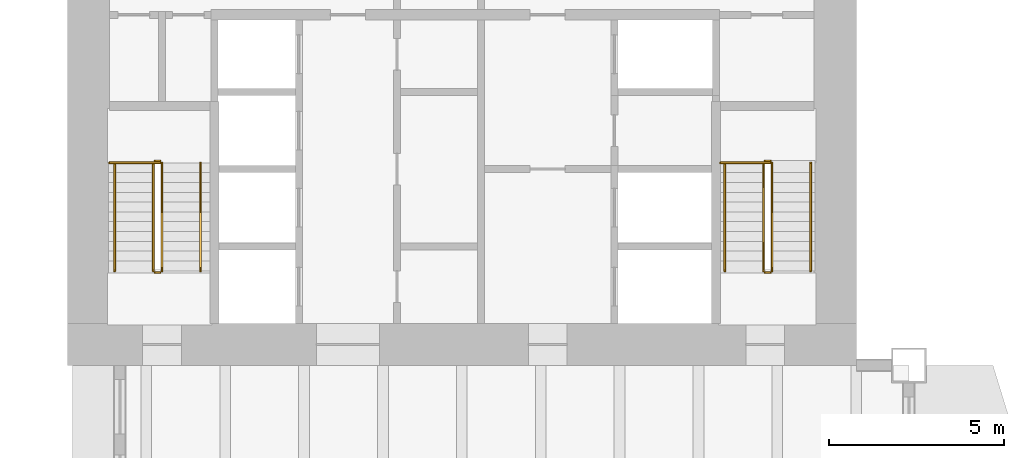
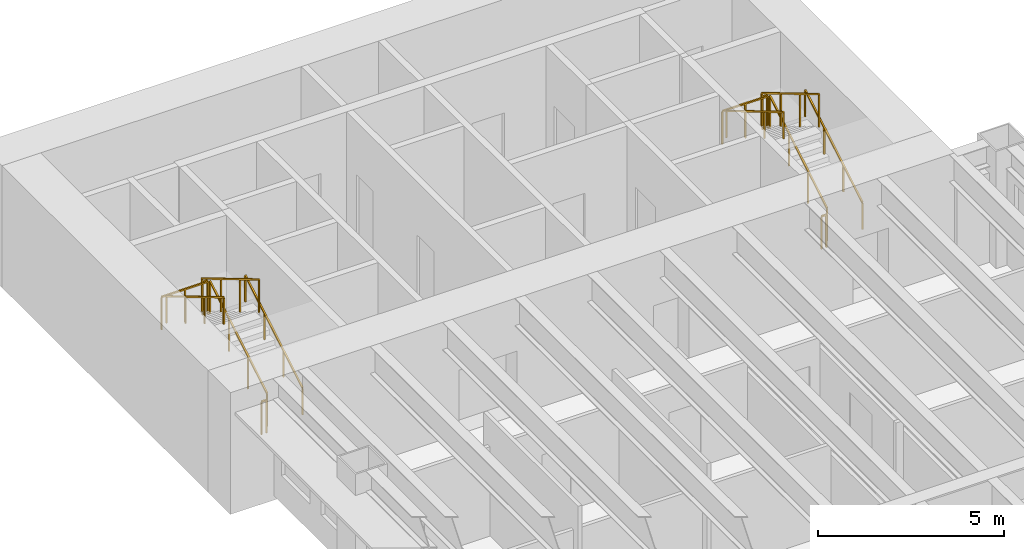
# One storey, part 16 of 16: 14 railings.
"""IFC4 building model written with IfcOpenShell, lengths in metres."""

from ifc_helpers import new_model, si_unit, direction, frame, origin, origin_2d, place, context, subcontext, project, spatial, rectangle, extrude, material, type_object, element, save


model = new_model("IFC4")

# Units and contexts
model_context = context("Model", 3, precision=1e-05, world=origin(), true_north=direction((0.0, 1.0)))
body_context = subcontext(model_context, "Body", "Model", "MODEL_VIEW")
ifc_project = project(units=[si_unit("LENGTHUNIT", "METRE"), si_unit("AREAUNIT", "SQUARE_METRE"), si_unit("VOLUMEUNIT", "CUBIC_METRE"), si_unit("PLANEANGLEUNIT", "RADIAN"), si_unit("MASSUNIT", "GRAM", prefix="KILO")], contexts=[model_context])

# Site, building, storey
site_placement = place(None, origin())
site = spatial("IfcSite", under=ifc_project, at=site_placement, CompositionType="ELEMENT")
building_placement = place(site_placement, origin())
building = spatial("IfcBuilding", under=site, at=building_placement, Name="Sennacour Bend Tower", CompositionType="ELEMENT")
storey_placement = place(building_placement, frame((0.0, 0.0, 99.0)))
storey = spatial("IfcBuildingStorey", under=building, at=storey_placement, Name="L22", CompositionType="ELEMENT", Elevation=99.0)

# Railings
ifc_material = material(Name="Stainless steel", Category="steel")
railing_type_1 = type_object("IfcRailingType", Name="RL-GUARD-1100", PredefinedType="GUARDRAIL", material=ifc_material)
railing_1_placement = place(storey_placement, frame((2.699951171875, 38.699951171875, 0.166748046875)))
element("IfcRailing", 1, at=railing_1_placement, inside=storey, type_object=railing_type_1, Name="L22 SB1 stair guard 1", PredefinedType="GUARDRAIL", context=body_context, shape_type="SweptSolid", body=[
    extrude(rectangle(XDim=0.048095703125, YDim=0.048095703125, at=origin_2d()), frame((0.0, 0.0, 1.076171875), z_axis=(0.0, 0.859308565015, 0.511457515432), x_axis=(-1.0, 0.0, 0.0)), (0.0, 0.0, 1.0), 3.58447265625),
    extrude(rectangle(XDim=0.0419921875, YDim=0.0419921875, at=origin_2d()), origin(), (0.0, 0.0, 1.0), 1.052001953125),
    extrude(rectangle(XDim=0.0419921875, YDim=0.0419921875, at=origin_2d()), frame((0.0, 1.026611328125, 0.611083984375)), (0.0, 0.0, 1.0), 1.052001953125),
    extrude(rectangle(XDim=0.0419921875, YDim=0.0419921875, at=origin_2d()), frame((0.0, 2.053466796875, 1.22216796875)), (0.0, 0.0, 1.0), 1.052001953125),
    extrude(rectangle(XDim=0.0419921875, YDim=0.0419921875, at=origin_2d()), frame((0.0, 3.080078125, 1.833251953125)), (0.0, 0.0, 1.0), 1.052001953125),
])
railing_2_placement = place(storey_placement, frame((2.64990234375, 41.830078125, 2.0)))
element("IfcRailing", 2, at=railing_2_placement, inside=storey, type_object=railing_type_1, Name="L22 SB1 stair guard 2", PredefinedType="GUARDRAIL", context=body_context, shape_type="SweptSolid", body=[
    extrude(rectangle(XDim=0.048095703125, YDim=0.048095703125, at=origin_2d()), frame((0.0, 0.0, 1.076171875), z_axis=(-1.0, 0.0, 0.0), x_axis=(0.0, -1.0, 0.0)), (0.0, 0.0, 1.0), 0.14990234375),
    extrude(rectangle(XDim=0.0419921875, YDim=0.0419921875, at=origin_2d()), origin(), (0.0, 0.0, 1.0), 1.052001953125),
    extrude(rectangle(XDim=0.0419921875, YDim=0.0419921875, at=origin_2d()), frame((-0.14990234375, 0.0, 0.0)), (0.0, 0.0, 1.0), 1.052001953125),
])
railing_3_placement = place(storey_placement, frame((2.449951171875, 41.780029296875, 2.166748046875)))
element("IfcRailing", 3, at=railing_3_placement, inside=storey, type_object=railing_type_1, Name="L22 SB1 stair guard 4", PredefinedType="GUARDRAIL", context=body_context, shape_type="SweptSolid", body=[
    extrude(rectangle(XDim=0.048095703125, YDim=0.048095703125, at=origin_2d()), frame((0.0, 0.0, 1.076171875), z_axis=(0.0, -0.859308565015, 0.511457515432), x_axis=(1.0, 0.0, 0.0)), (0.0, 0.0, 1.0), 3.58447265625),
    extrude(rectangle(XDim=0.0419921875, YDim=0.0419921875, at=origin_2d()), origin(), (0.0, 0.0, 1.0), 1.052001953125),
    extrude(rectangle(XDim=0.0419921875, YDim=0.0419921875, at=origin_2d()), frame((0.0, -1.026611328125, 0.611083984375)), (0.0, 0.0, 1.0), 1.052001953125),
    extrude(rectangle(XDim=0.0419921875, YDim=0.0419921875, at=origin_2d()), frame((0.0, -2.053466796875, 1.22216796875)), (0.0, 0.0, 1.0), 1.052001953125),
    extrude(rectangle(XDim=0.0419921875, YDim=0.0419921875, at=origin_2d()), frame((0.0, -3.080078125, 1.833251953125)), (0.0, 0.0, 1.0), 1.052001953125),
])
railing_4_placement = place(storey_placement, frame((2.64990234375, 38.64990234375, 0.0)))
element("IfcRailing", 4, at=railing_4_placement, inside=storey, type_object=railing_type_1, Name="L22 SB1 stair guard 5", PredefinedType="GUARDRAIL", context=body_context, shape_type="SweptSolid", body=[
    extrude(rectangle(XDim=0.048095703125, YDim=0.048095703125, at=origin_2d()), frame((0.0, 0.0, 1.076171875), z_axis=(-1.0, 0.0, 0.0), x_axis=(0.0, -1.0, 0.0)), (0.0, 0.0, 1.0), 0.14990234375),
    extrude(rectangle(XDim=0.0419921875, YDim=0.0419921875, at=origin_2d()), origin(), (0.0, 0.0, 1.0), 1.052001953125),
    extrude(rectangle(XDim=0.0419921875, YDim=0.0419921875, at=origin_2d()), frame((-0.14990234375, 0.0, 0.0)), (0.0, 0.0, 1.0), 1.052001953125),
])
railing_5_placement = place(storey_placement, frame((2.64990234375, 41.780029296875, 2.0)))
element("IfcRailing", 5, at=railing_5_placement, inside=storey, type_object=railing_type_1, Name="L22 SB1 landing edge guard 45", PredefinedType="GUARDRAIL", context=body_context, shape_type="SweptSolid", body=[
    extrude(rectangle(XDim=0.048095703125, YDim=0.048095703125, at=origin_2d()), frame((0.0, 0.0, 1.076171875), z_axis=(-1.0, 0.0, 0.0), x_axis=(0.0, -1.0, 0.0)), (0.0, 0.0, 1.0), 1.449951171875),
    extrude(rectangle(XDim=0.0419921875, YDim=0.0419921875, at=origin_2d()), origin(), (0.0, 0.0, 1.0), 1.052001953125),
    extrude(rectangle(XDim=0.0419921875, YDim=0.0419921875, at=origin_2d()), frame((-0.72509765625, 0.0, 0.0)), (0.0, 0.0, 1.0), 1.052001953125),
    extrude(rectangle(XDim=0.0419921875, YDim=0.0419921875, at=origin_2d()), frame((-1.449951171875, 0.0, 0.0)), (0.0, 0.0, 1.0), 1.052001953125),
])
railing_6_placement = place(storey_placement, frame((20.10009765625, 38.699951171875, 0.166748046875)))
element("IfcRailing", 6, at=railing_6_placement, inside=storey, type_object=railing_type_1, Name="L22 SB2 stair guard 1", PredefinedType="GUARDRAIL", context=body_context, shape_type="SweptSolid", body=[
    extrude(rectangle(XDim=0.048095703125, YDim=0.048095703125, at=origin_2d()), frame((0.0, 0.0, 1.076171875), z_axis=(0.0, 0.859308565015, 0.511457515432), x_axis=(-1.0, 0.0, 0.0)), (0.0, 0.0, 1.0), 3.58447265625),
    extrude(rectangle(XDim=0.0419921875, YDim=0.0419921875, at=origin_2d()), origin(), (0.0, 0.0, 1.0), 1.052001953125),
    extrude(rectangle(XDim=0.0419921875, YDim=0.0419921875, at=origin_2d()), frame((0.0, 1.026611328125, 0.611083984375)), (0.0, 0.0, 1.0), 1.052001953125),
    extrude(rectangle(XDim=0.0419921875, YDim=0.0419921875, at=origin_2d()), frame((0.0, 2.053466796875, 1.22216796875)), (0.0, 0.0, 1.0), 1.052001953125),
    extrude(rectangle(XDim=0.0419921875, YDim=0.0419921875, at=origin_2d()), frame((0.0, 3.080078125, 1.833251953125)), (0.0, 0.0, 1.0), 1.052001953125),
])
railing_7_placement = place(storey_placement, frame((20.050048828125, 41.830078125, 2.0)))
element("IfcRailing", 7, at=railing_7_placement, inside=storey, type_object=railing_type_1, Name="L22 SB2 stair guard 2", PredefinedType="GUARDRAIL", context=body_context, shape_type="SweptSolid", body=[
    extrude(rectangle(XDim=0.048095703125, YDim=0.048095703125, at=origin_2d()), frame((0.0, 0.0, 1.076171875), z_axis=(-1.0, 0.0, 0.0), x_axis=(0.0, -1.0, 0.0)), (0.0, 0.0, 1.0), 0.150146484375),
    extrude(rectangle(XDim=0.0419921875, YDim=0.0419921875, at=origin_2d()), origin(), (0.0, 0.0, 1.0), 1.052001953125),
    extrude(rectangle(XDim=0.0419921875, YDim=0.0419921875, at=origin_2d()), frame((-0.150146484375, 0.0, 0.0)), (0.0, 0.0, 1.0), 1.052001953125),
])
railing_8_placement = place(storey_placement, frame((19.85009765625, 41.780029296875, 2.166748046875)))
element("IfcRailing", 8, at=railing_8_placement, inside=storey, type_object=railing_type_1, Name="L22 SB2 stair guard 4", PredefinedType="GUARDRAIL", context=body_context, shape_type="SweptSolid", body=[
    extrude(rectangle(XDim=0.048095703125, YDim=0.048095703125, at=origin_2d()), frame((0.0, 0.0, 1.076171875), z_axis=(0.0, -0.859308565015, 0.511457515432), x_axis=(1.0, 0.0, 0.0)), (0.0, 0.0, 1.0), 3.58447265625),
    extrude(rectangle(XDim=0.0419921875, YDim=0.0419921875, at=origin_2d()), origin(), (0.0, 0.0, 1.0), 1.052001953125),
    extrude(rectangle(XDim=0.0419921875, YDim=0.0419921875, at=origin_2d()), frame((0.0, -1.026611328125, 0.611083984375)), (0.0, 0.0, 1.0), 1.052001953125),
    extrude(rectangle(XDim=0.0419921875, YDim=0.0419921875, at=origin_2d()), frame((0.0, -2.053466796875, 1.22216796875)), (0.0, 0.0, 1.0), 1.052001953125),
    extrude(rectangle(XDim=0.0419921875, YDim=0.0419921875, at=origin_2d()), frame((0.0, -3.080078125, 1.833251953125)), (0.0, 0.0, 1.0), 1.052001953125),
])
railing_9_placement = place(storey_placement, frame((20.050048828125, 38.64990234375, 0.0)))
element("IfcRailing", 9, at=railing_9_placement, inside=storey, type_object=railing_type_1, Name="L22 SB2 stair guard 5", PredefinedType="GUARDRAIL", context=body_context, shape_type="SweptSolid", body=[
    extrude(rectangle(XDim=0.048095703125, YDim=0.048095703125, at=origin_2d()), frame((0.0, 0.0, 1.076171875), z_axis=(-1.0, 0.0, 0.0), x_axis=(0.0, -1.0, 0.0)), (0.0, 0.0, 1.0), 0.150146484375),
    extrude(rectangle(XDim=0.0419921875, YDim=0.0419921875, at=origin_2d()), origin(), (0.0, 0.0, 1.0), 1.052001953125),
    extrude(rectangle(XDim=0.0419921875, YDim=0.0419921875, at=origin_2d()), frame((-0.150146484375, 0.0, 0.0)), (0.0, 0.0, 1.0), 1.052001953125),
])
railing_10_placement = place(storey_placement, frame((20.050048828125, 41.780029296875, 2.0)))
element("IfcRailing", 10, at=railing_10_placement, inside=storey, type_object=railing_type_1, Name="L22 SB2 landing edge guard 35", PredefinedType="GUARDRAIL", context=body_context, shape_type="SweptSolid", body=[
    extrude(rectangle(XDim=0.048095703125, YDim=0.048095703125, at=origin_2d()), frame((0.0, 0.0, 1.076171875), z_axis=(-1.0, 0.0, 0.0), x_axis=(0.0, -1.0, 0.0)), (0.0, 0.0, 1.0), 1.425048828125),
    extrude(rectangle(XDim=0.0419921875, YDim=0.0419921875, at=origin_2d()), origin(), (0.0, 0.0, 1.0), 1.052001953125),
    extrude(rectangle(XDim=0.0419921875, YDim=0.0419921875, at=origin_2d()), frame((-0.71240234375, 0.0, 0.0)), (0.0, 0.0, 1.0), 1.052001953125),
    extrude(rectangle(XDim=0.0419921875, YDim=0.0419921875, at=origin_2d()), frame((-1.425048828125, 0.0, 0.0)), (0.0, 0.0, 1.0), 1.052001953125),
])
railing_type_2 = type_object("IfcRailingType", Name="RL-HANDRAIL-900", PredefinedType="HANDRAIL", material=ifc_material)
railing_11_placement = place(storey_placement, frame((3.800048828125, 38.699951171875, 0.166748046875)))
element("IfcRailing", 11, at=railing_11_placement, inside=storey, type_object=railing_type_2, Name="L22 SB1 stair handrail 1", PredefinedType="HANDRAIL", context=body_context, shape_type="SweptSolid", body=[
    extrude(rectangle(XDim=0.048095703125, YDim=0.048095703125, at=origin_2d()), frame((0.0, 0.0, 0.8759765625), z_axis=(0.0, 0.859308565015, 0.511457515432), x_axis=(-1.0, 0.0, 0.0)), (0.0, 0.0, 1.0), 3.58447265625),
    extrude(rectangle(XDim=0.0419921875, YDim=0.0419921875, at=origin_2d()), origin(), (0.0, 0.0, 1.0), 0.851806640625),
    extrude(rectangle(XDim=0.0419921875, YDim=0.0419921875, at=origin_2d()), frame((0.0, 1.026611328125, 0.611083984375)), (0.0, 0.0, 1.0), 0.851806640625),
    extrude(rectangle(XDim=0.0419921875, YDim=0.0419921875, at=origin_2d()), frame((0.0, 2.053466796875, 1.22216796875)), (0.0, 0.0, 1.0), 0.851806640625),
    extrude(rectangle(XDim=0.0419921875, YDim=0.0419921875, at=origin_2d()), frame((0.0, 3.080078125, 1.833251953125)), (0.0, 0.0, 1.0), 0.851806640625),
])
railing_12_placement = place(storey_placement, frame((1.35009765625, 41.780029296875, 2.166748046875)))
element("IfcRailing", 12, at=railing_12_placement, inside=storey, type_object=railing_type_2, Name="L22 SB1 stair handrail 2", PredefinedType="HANDRAIL", context=body_context, shape_type="SweptSolid", body=[
    extrude(rectangle(XDim=0.048095703125, YDim=0.048095703125, at=origin_2d()), frame((0.0, 0.0, 0.8759765625), z_axis=(0.0, -0.859308565015, 0.511457515432), x_axis=(1.0, 0.0, 0.0)), (0.0, 0.0, 1.0), 3.58447265625),
    extrude(rectangle(XDim=0.0419921875, YDim=0.0419921875, at=origin_2d()), origin(), (0.0, 0.0, 1.0), 0.851806640625),
    extrude(rectangle(XDim=0.0419921875, YDim=0.0419921875, at=origin_2d()), frame((0.0, -1.026611328125, 0.611083984375)), (0.0, 0.0, 1.0), 0.851806640625),
    extrude(rectangle(XDim=0.0419921875, YDim=0.0419921875, at=origin_2d()), frame((0.0, -2.053466796875, 1.22216796875)), (0.0, 0.0, 1.0), 0.851806640625),
    extrude(rectangle(XDim=0.0419921875, YDim=0.0419921875, at=origin_2d()), frame((0.0, -3.080078125, 1.833251953125)), (0.0, 0.0, 1.0), 0.851806640625),
])
railing_13_placement = place(storey_placement, frame((21.199951171875, 38.699951171875, 0.166748046875)))
element("IfcRailing", 13, at=railing_13_placement, inside=storey, type_object=railing_type_2, Name="L22 SB2 stair handrail 1", PredefinedType="HANDRAIL", context=body_context, shape_type="SweptSolid", body=[
    extrude(rectangle(XDim=0.048095703125, YDim=0.048095703125, at=origin_2d()), frame((0.0, 0.0, 0.8759765625), z_axis=(0.0, 0.859308565015, 0.511457515432), x_axis=(-1.0, 0.0, 0.0)), (0.0, 0.0, 1.0), 3.58447265625),
    extrude(rectangle(XDim=0.0419921875, YDim=0.0419921875, at=origin_2d()), origin(), (0.0, 0.0, 1.0), 0.851806640625),
    extrude(rectangle(XDim=0.0419921875, YDim=0.0419921875, at=origin_2d()), frame((0.0, 1.026611328125, 0.611083984375)), (0.0, 0.0, 1.0), 0.851806640625),
    extrude(rectangle(XDim=0.0419921875, YDim=0.0419921875, at=origin_2d()), frame((0.0, 2.053466796875, 1.22216796875)), (0.0, 0.0, 1.0), 0.851806640625),
    extrude(rectangle(XDim=0.0419921875, YDim=0.0419921875, at=origin_2d()), frame((0.0, 3.080078125, 1.833251953125)), (0.0, 0.0, 1.0), 0.851806640625),
])
railing_14_placement = place(storey_placement, frame((18.75, 41.780029296875, 2.166748046875)))
element("IfcRailing", 14, at=railing_14_placement, inside=storey, type_object=railing_type_2, Name="L22 SB2 stair handrail 2", PredefinedType="HANDRAIL", context=body_context, shape_type="SweptSolid", body=[
    extrude(rectangle(XDim=0.048095703125, YDim=0.048095703125, at=origin_2d()), frame((0.0, 0.0, 0.8759765625), z_axis=(0.0, -0.859308565015, 0.511457515432), x_axis=(1.0, 0.0, 0.0)), (0.0, 0.0, 1.0), 3.58447265625),
    extrude(rectangle(XDim=0.0419921875, YDim=0.0419921875, at=origin_2d()), origin(), (0.0, 0.0, 1.0), 0.851806640625),
    extrude(rectangle(XDim=0.0419921875, YDim=0.0419921875, at=origin_2d()), frame((0.0, -1.026611328125, 0.611083984375)), (0.0, 0.0, 1.0), 0.851806640625),
    extrude(rectangle(XDim=0.0419921875, YDim=0.0419921875, at=origin_2d()), frame((0.0, -2.053466796875, 1.22216796875)), (0.0, 0.0, 1.0), 0.851806640625),
    extrude(rectangle(XDim=0.0419921875, YDim=0.0419921875, at=origin_2d()), frame((0.0, -3.080078125, 1.833251953125)), (0.0, 0.0, 1.0), 0.851806640625),
])

save(model, "model.ifc")
